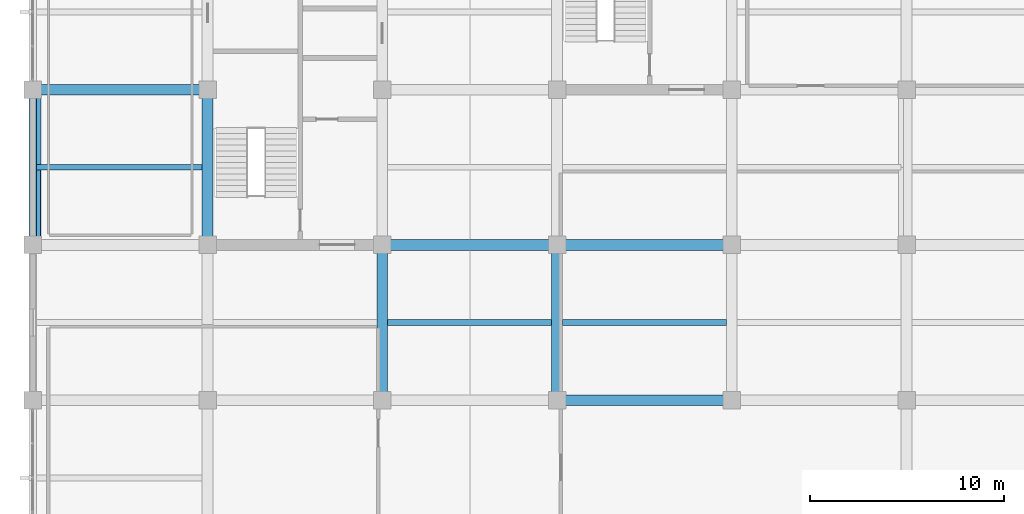
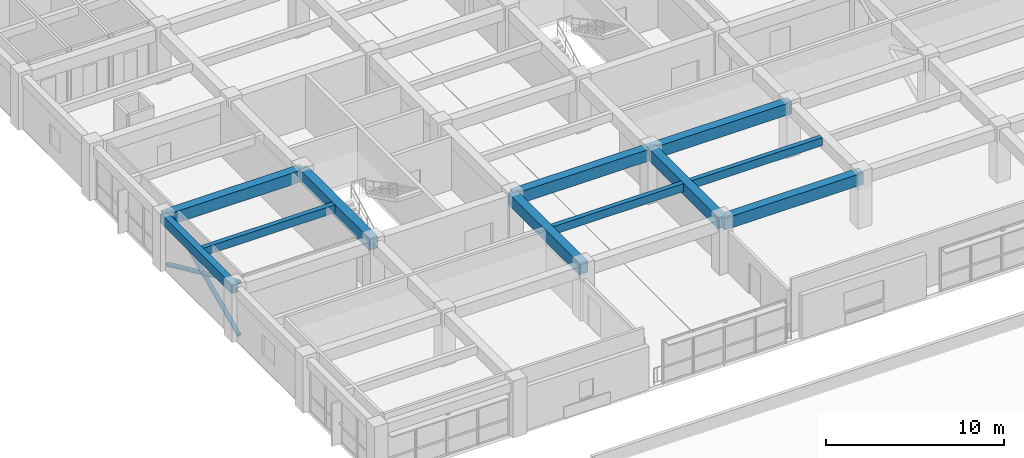
# One storey, part 5 of 23: 11 beams, 2 members.
"""IFC4 building model written with IfcOpenShell, lengths in metres."""

from ifc_helpers import new_model, si_unit, direction, frame, origin, origin_2d, place, context, subcontext, project, spatial, rectangle, hollow_circle, extrude, material, material_profile, profile_set, type_object, element, save


model = new_model("IFC4")

# Units and contexts
model_context = context("Model", 3, precision=1e-05, world=origin(), true_north=direction((0.0, 1.0)))
body_context = subcontext(model_context, "Body", "Model", "MODEL_VIEW")
ifc_project = project(units=[si_unit("LENGTHUNIT", "METRE"), si_unit("AREAUNIT", "SQUARE_METRE"), si_unit("VOLUMEUNIT", "CUBIC_METRE"), si_unit("PLANEANGLEUNIT", "RADIAN"), si_unit("MASSUNIT", "GRAM", prefix="KILO")], contexts=[model_context])

# Site, building, storey
site_placement = place(None, origin())
site = spatial("IfcSite", under=ifc_project, at=site_placement, CompositionType="ELEMENT")
building_placement = place(site_placement, origin())
building = spatial("IfcBuilding", under=site, at=building_placement, Name="Zaverband Oceanarium and Marine Research Institute", CompositionType="ELEMENT")
storey_placement = place(building_placement, frame((0.0, 0.0, 21.89990234375)))
storey = spatial("IfcBuildingStorey", under=building, at=storey_placement, Name="L05", CompositionType="ELEMENT", Elevation=21.89990234375)

# Beams
ifc_material_1 = material(Name="Concrete C40/50", Category="concrete")
ifc_material_profile_1 = material_profile(ifc_material_1, rectangle(XDim=0.550048828125, YDim=0.800048828125, at=origin_2d()), Name="RC550x800")
ifc_profile_set_1 = profile_set([ifc_material_profile_1], Name="Concrete C40/50")
beam_type_1 = type_object("IfcBeamType", Name="BM-550x800", PredefinedType="BEAM", material=ifc_profile_set_1)
for number, where, z_axis, x_axis, name in (
    (1, (36.0, 72.0, 3.25), (1.0, 0.0, 0.0), (0.0, 1.0, 0.0), "Primary floor girder BM-550x800"),
    (2, (27.0, 80.0, 3.25), (1.0, 0.0, 0.0), (0.0, 1.0, 0.0), "Primary floor girder BM-550x800"),
    (3, (36.0, 80.0, 3.25), (1.0, 0.0, 0.0), (0.0, 1.0, 0.0), "Primary floor girder BM-550x800"),
    (4, (9.0, 88.0, 3.25), (1.0, 0.0, 0.0), (0.0, 1.0, 0.0), "Primary floor girder BM-550x800"),
):
    element("IfcBeam", number, at=place(storey_placement, frame(where, z_axis=z_axis, x_axis=x_axis)), inside=storey, type_object=beam_type_1, Name=name, PredefinedType="BEAM", context=body_context, shape_type="SweptSolid", body=[
        extrude(rectangle(XDim=0.550048828125, YDim=0.800048828125, at=origin_2d()), origin(), (0.0, 0.0, 1.0), 9.0),
    ])
for number, where, z_axis, x_axis, name in (
    (5, (18.0, 80.0, 3.25), (0.0, 1.0, 0.0), (-1.0, 0.0, 0.0), "Primary floor girder BM-550x800"),
    (6, (27.0, 72.0, 3.25), (0.0, 1.0, 0.0), (-1.0, 0.0, 0.0), "Primary floor girder BM-550x800"),
    (7, (36.0, 72.0, 3.25), (0.0, 1.0, 0.0), (-1.0, 0.0, 0.0), "Primary floor girder BM-550x800"),
):
    element("IfcBeam", number, at=place(storey_placement, frame(where, z_axis=z_axis, x_axis=x_axis)), inside=storey, type_object=beam_type_1, Name=name, PredefinedType="BEAM", context=body_context, shape_type="SweptSolid", body=[
        extrude(rectangle(XDim=0.550048828125, YDim=0.800048828125, at=origin_2d()), origin(), (0.0, 0.0, 1.0), 8.0),
    ])

# Members
ifc_material_2 = material(Name="Steel S355", Category="steel")
ifc_material_profile_2 = material_profile(ifc_material_2, hollow_circle(Radius=0.136474609375, WallThickness=0.010009765625, at=origin_2d()), Name="CHS273x10")
ifc_profile_set_2 = profile_set([ifc_material_profile_2], Name="Steel S355")
member_type = type_object("IfcMemberType", Name="BR-01", PredefinedType="BRACE", material=ifc_profile_set_2)
for number, where, z_axis, x_axis, name in (
    (8, (9.280029296875, 80.0, 0.0), (0.0, 0.90977508744, 0.415101542124), (-1.0, 0.0, 0.0), "Diagonal lateral brace BR-01"),
    (9, (9.280029296875, 88.0, 0.0), (0.0, -0.90977508744, 0.415101542124), (1.0, 0.0, 0.0), "Diagonal lateral brace BR-01"),
):
    element("IfcMember", number, at=place(storey_placement, frame(where, z_axis=z_axis, x_axis=x_axis)), inside=storey, type_object=member_type, Name=name, PredefinedType="BRACE", context=body_context, shape_type="SweptSolid", body=[
        extrude(hollow_circle(Radius=0.136474609375, WallThickness=0.010009765625, at=origin_2d()), origin(), (0.0, 0.0, 1.0), 8.79345703125),
    ])

# Beams
ifc_material_profile_3 = material_profile(ifc_material_1, rectangle(XDim=0.300048828125, YDim=0.550048828125, at=origin_2d()), Name="RC300x550")
ifc_profile_set_3 = profile_set([ifc_material_profile_3], Name="Concrete C40/50")
beam_type_2 = type_object("IfcBeamType", Name="JST-300x550", PredefinedType="JOIST", material=ifc_profile_set_3)
beam_1_placement = place(storey_placement, frame((9.199951171875, 84.0, 3.375), z_axis=(1.0, 0.0, 0.0), x_axis=(0.0, 1.0, 0.0)))
element("IfcBeam", 10, at=beam_1_placement, inside=storey, type_object=beam_type_2, Name="Secondary floor joist JST-300x550", PredefinedType="JOIST", context=body_context, shape_type="SweptSolid", body=[
    extrude(rectangle(XDim=0.300048828125, YDim=0.550048828125, at=origin_2d()), origin(), (0.0, 0.0, 1.0), 8.525146484375),
])
for number, where, z_axis, x_axis, name in (
    (11, (27.27490234375, 76.0, 3.375), (1.0, 0.0, 0.0), (0.0, 1.0, 0.0), "Secondary floor joist JST-300x550"),
    (12, (36.27490234375, 76.0, 3.375), (1.0, 0.0, 0.0), (0.0, 1.0, 0.0), "Secondary floor joist JST-300x550"),
):
    element("IfcBeam", number, at=place(storey_placement, frame(where, z_axis=z_axis, x_axis=x_axis)), inside=storey, type_object=beam_type_2, Name=name, PredefinedType="JOIST", context=body_context, shape_type="SweptSolid", body=[
        extrude(rectangle(XDim=0.300048828125, YDim=0.550048828125, at=origin_2d()), origin(), (0.0, 0.0, 1.0), 8.4501953125),
    ])
ifc_material_profile_4 = material_profile(ifc_material_1, rectangle(XDim=0.39990234375, YDim=0.64990234375, at=origin_2d()), Name="RC400x650")
ifc_profile_set_4 = profile_set([ifc_material_profile_4], Name="Concrete C40/50")
beam_type_3 = type_object("IfcBeamType", Name="SPN-400x650", PredefinedType="SPANDREL", material=ifc_profile_set_4)
beam_2_placement = place(storey_placement, frame((9.0, 80.0, 3.3251953125), z_axis=(0.0, 1.0, 0.0), x_axis=(-1.0, 0.0, 0.0)))
element("IfcBeam", 13, at=beam_2_placement, inside=storey, type_object=beam_type_3, Name="Perimeter spandrel beam SPN-400x650", PredefinedType="SPANDREL", context=body_context, shape_type="SweptSolid", body=[
    extrude(rectangle(XDim=0.39990234375, YDim=0.64990234375, at=origin_2d()), origin(), (0.0, 0.0, 1.0), 8.0),
])

save(model, "model.ifc")
